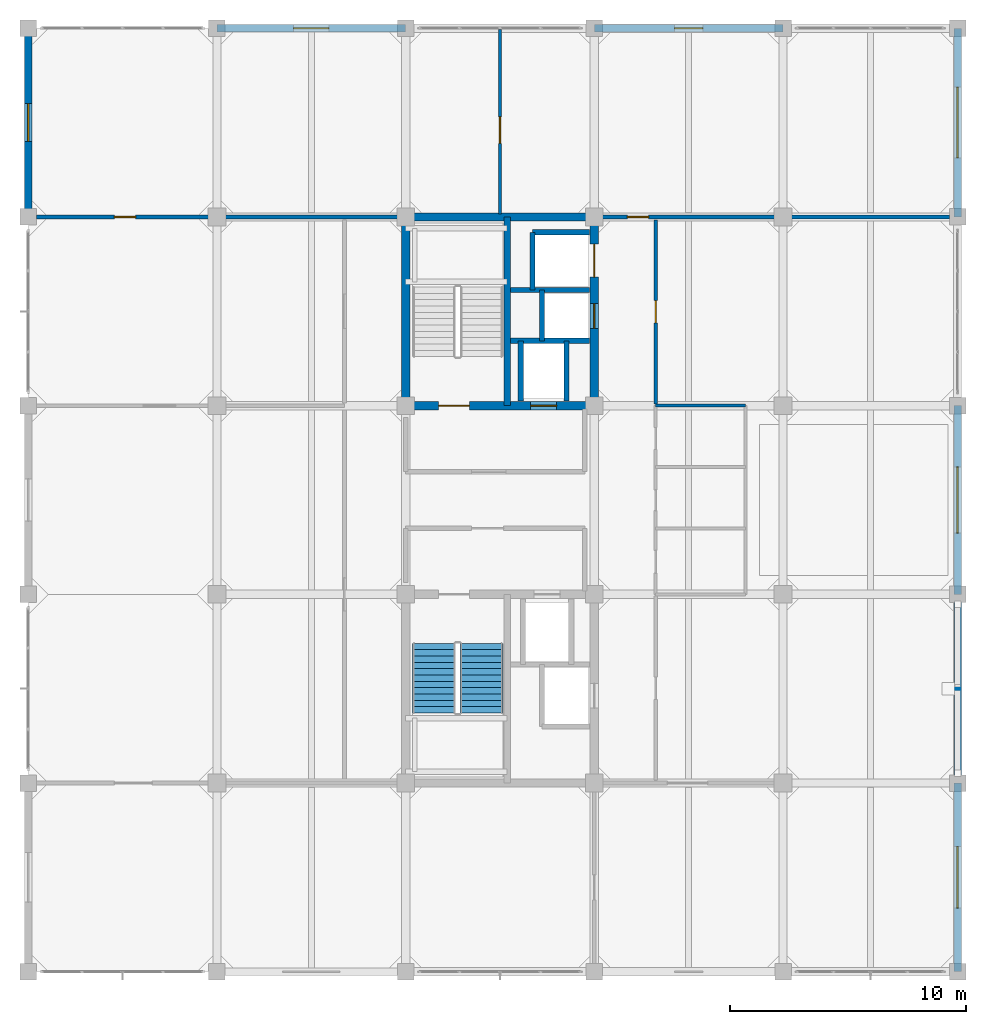
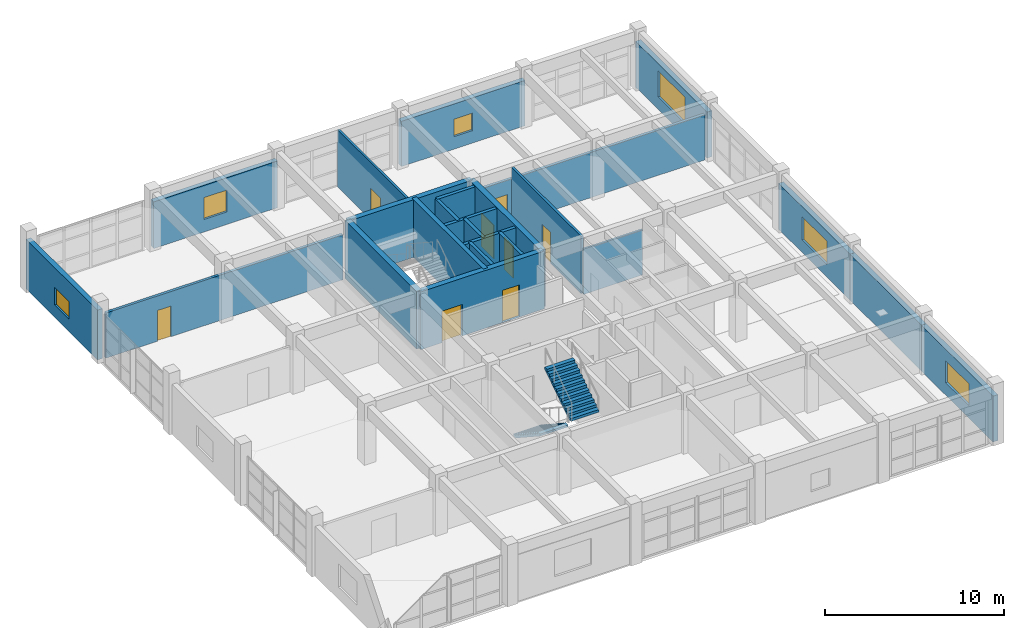
# One storey, part 22 of 27: 24 walls, 8 doors, 6 windows, 2 stair flights, 14 openings, 1 element without a shape of its own.
"""IFC4 building model written with IfcOpenShell, lengths in metres."""

from ifc_helpers import new_model, si_unit, direction, frame, frame_2d, origin, place, context, subcontext, project, spatial, polyline, rectangle, outline, extrude, material, layer, layer_set, type_object, element, fill, aggregate, save


model = new_model("IFC4")

# Units and contexts
model_context = context("Model", 3, precision=1e-05, world=origin(), true_north=direction((0.0, 1.0)))
body_context = subcontext(model_context, "Body", "Model", "MODEL_VIEW")
ifc_project = project(units=[si_unit("LENGTHUNIT", "METRE"), si_unit("AREAUNIT", "SQUARE_METRE"), si_unit("VOLUMEUNIT", "CUBIC_METRE"), si_unit("PLANEANGLEUNIT", "RADIAN"), si_unit("MASSUNIT", "GRAM", prefix="KILO")], contexts=[model_context])

# Site, building, storey
site_placement = place(None, origin())
site = spatial("IfcSite", under=ifc_project, at=site_placement, CompositionType="ELEMENT")
building_placement = place(site_placement, origin())
building = spatial("IfcBuilding", under=site, at=building_placement, Name="Canggui Botanical Conservatory", CompositionType="ELEMENT")
storey_placement = place(building_placement, frame((0.0, 0.0, 36.0)))
storey = spatial("IfcBuildingStorey", under=building, at=storey_placement, Name="L09", CompositionType="ELEMENT", Elevation=36.0)

# Wall, opening, window
ifc_material_1 = material(Name="Precast Concrete C40", Category="concrete")
ifc_layer_1 = layer(ifc_material_1, 0.320068359375, Name="Precast Concrete C40", Category="concrete")
ifc_layer_set_1 = layer_set([ifc_layer_1], Name="Precast Concrete C40")
wall_type_1 = type_object("IfcWallType", Name="EW-320", PredefinedType="STANDARD", material=ifc_layer_set_1)
wall_1_placement = place(storey_placement, frame((138.0, 66.0, 0.0), z_axis=(0.0, 0.0, 1.0), x_axis=(0.0, 1.0, 0.0)))
wall_1 = element("IfcWall", 1, at=wall_1_placement, inside=storey, type_object=wall_type_1, Name="Tower Insulated Exterior Wall L09-W10", PredefinedType="STANDARD", context=body_context, shape_type="SweptSolid", body=[
    extrude(rectangle(XDim=8.0, YDim=0.320068359375, at=frame_2d((4.0, 0.0))), origin(), (0.0, 0.0, 1.0), 3.39990234375),
])
opening_1_placement = place(wall_1_placement, frame((3.199951171875, 0.0, 0.85009765625)))
opening_1 = element("IfcOpeningElement", 2, at=opening_1_placement, cuts=wall_1, Name="Opening W-04", PredefinedType="OPENING", context=body_context, shape_type="SweptSolid", body=[
    extrude(rectangle(XDim=1.60009765625, YDim=1.199951171875, at=frame_2d((0.800048828125, 0.60009765625))), frame((0.0, 0.169921875, 0.0), z_axis=(0.0, -1.0, 0.0), x_axis=(1.0, 0.0, 0.0)), (0.0, 0.0, 1.0), 0.340087890625),
])
ifc_material_2 = material(Name="Low-E Insulated Glass", Category="glass")
window_type_1 = type_object("IfcWindowType", Name="WIN-04", PartitioningType="SINGLE_PANEL", PredefinedType="WINDOW", material=ifc_material_2)
window_1_placement = place(opening_1_placement, origin())
window_1 = element("IfcWindow", 3, at=window_1_placement, inside=storey, type_object=window_type_1, Name="Tower Window L09-10", OverallHeight=1.199951171875, OverallWidth=1.60009765625, PartitioningType="SINGLE_PANEL", PredefinedType="WINDOW", context=body_context, shape_type="SweptSolid", body=[
    extrude(rectangle(XDim=1.60009765625, YDim=1.199951171875, at=frame_2d((0.800048828125, 0.60009765625))), frame((0.0, 0.030029296875, 0.0), z_axis=(0.0, -1.0, 0.0), x_axis=(1.0, 0.0, 0.0)), (0.0, 0.0, 1.0), 0.06005859375),
])
fill(opening_1, window_1)

wall_2_placement = place(storey_placement, frame((146.0, 74.0, 0.0), z_axis=(0.0, 0.0, 1.0), x_axis=(1.0, 0.0, 0.0)))
wall_2 = element("IfcWall", 4, at=wall_2_placement, inside=storey, type_object=wall_type_1, Name="Tower Insulated Exterior Wall L09-N12", PredefinedType="STANDARD", context=body_context, shape_type="SweptSolid", body=[
    extrude(rectangle(XDim=8.0, YDim=0.320068359375, at=frame_2d((4.0, 0.0))), origin(), (0.0, 0.0, 1.0), 3.18994140625),
])
opening_2_placement = place(wall_2_placement, frame((3.25, 0.0, 0.85009765625)))
opening_2 = element("IfcOpeningElement", 5, at=opening_2_placement, cuts=wall_2, Name="Opening W-05", PredefinedType="OPENING", context=body_context, shape_type="SweptSolid", body=[
    extrude(rectangle(XDim=1.5, YDim=1.5, at=frame_2d((0.75, 0.75))), frame((0.0, 0.169921875, 0.0), z_axis=(0.0, -1.0, 0.0), x_axis=(1.0, 0.0, 0.0)), (0.0, 0.0, 1.0), 0.340087890625),
])
window_type_2 = type_object("IfcWindowType", Name="WIN-05", PartitioningType="SINGLE_PANEL", PredefinedType="WINDOW", material=ifc_material_2)
window_2_placement = place(opening_2_placement, origin())
window_2 = element("IfcWindow", 6, at=window_2_placement, inside=storey, type_object=window_type_2, Name="Tower Window L09-12", OverallHeight=1.5, OverallWidth=1.5, PartitioningType="SINGLE_PANEL", PredefinedType="WINDOW", context=body_context, shape_type="SweptSolid", body=[
    extrude(rectangle(XDim=1.5, YDim=1.5, at=frame_2d((0.75, 0.75))), frame((0.0, 0.030029296875, 0.0), z_axis=(0.0, -1.0, 0.0), x_axis=(1.0, 0.0, 0.0)), (0.0, 0.0, 1.0), 0.06005859375),
])
fill(opening_2, window_2)

wall_3_placement = place(storey_placement, frame((162.0, 74.0, 0.0), z_axis=(0.0, 0.0, 1.0), x_axis=(1.0, 0.0, 0.0)))
wall_3 = element("IfcWall", 7, at=wall_3_placement, inside=storey, type_object=wall_type_1, Name="Tower Insulated Exterior Wall L09-N14", PredefinedType="STANDARD", context=body_context, shape_type="SweptSolid", body=[
    extrude(rectangle(XDim=8.0, YDim=0.320068359375, at=frame_2d((4.0, 0.0))), origin(), (0.0, 0.0, 1.0), 3.090087890625),
])
opening_3_placement = place(wall_3_placement, frame((3.39990234375, 0.0, 0.85009765625)))
opening_3 = element("IfcOpeningElement", 8, at=opening_3_placement, cuts=wall_3, Name="Opening W-06", PredefinedType="OPENING", context=body_context, shape_type="SweptSolid", body=[
    extrude(rectangle(XDim=1.199951171875, YDim=1.199951171875, at=frame_2d((0.60009765625, 0.60009765625))), frame((0.0, 0.169921875, 0.0), z_axis=(0.0, -1.0, 0.0), x_axis=(1.0, 0.0, 0.0)), (0.0, 0.0, 1.0), 0.340087890625),
])
window_type_3 = type_object("IfcWindowType", Name="WIN-06", PartitioningType="SINGLE_PANEL", PredefinedType="WINDOW", material=ifc_material_2)
window_3_placement = place(opening_3_placement, origin())
window_3 = element("IfcWindow", 9, at=window_3_placement, inside=storey, type_object=window_type_3, Name="Tower Firefighter Rescue Window L09-14", OverallHeight=1.199951171875, OverallWidth=1.199951171875, PartitioningType="SINGLE_PANEL", PredefinedType="WINDOW", context=body_context, shape_type="SweptSolid", body=[
    extrude(rectangle(XDim=1.199951171875, YDim=1.199951171875, at=frame_2d((0.60009765625, 0.60009765625))), frame((0.0, 0.030029296875, 0.0), z_axis=(0.0, -1.0, 0.0), x_axis=(1.0, 0.0, 0.0)), (0.0, 0.0, 1.0), 0.06005859375),
])
fill(opening_3, window_3)

wall_4_placement = place(storey_placement, frame((177.39990234375, 74.0, 0.0), z_axis=(0.0, 0.0, 1.0), x_axis=(0.0, -1.0, 0.0)))
wall_4 = element("IfcWall", 10, at=wall_4_placement, inside=storey, type_object=wall_type_1, Name="Tower Insulated Exterior Wall L09-E16", PredefinedType="STANDARD", context=body_context, shape_type="SweptSolid", body=[
    extrude(rectangle(XDim=8.0, YDim=0.320068359375, at=frame_2d((4.0, 0.0))), origin(), (0.0, 0.0, 1.0), 3.139892578125),
])
opening_4_placement = place(wall_4_placement, frame((2.5, 0.0, 0.85009765625)))
opening_4 = element("IfcOpeningElement", 11, at=opening_4_placement, cuts=wall_4, Name="Opening W-07", PredefinedType="OPENING", context=body_context, shape_type="SweptSolid", body=[
    extrude(rectangle(XDim=3.0, YDim=1.800048828125, at=frame_2d((1.5, 0.89990234375))), frame((0.0, 0.169921875, 0.0), z_axis=(0.0, -1.0, 0.0), x_axis=(1.0, 0.0, 0.0)), (0.0, 0.0, 1.0), 0.340087890625),
])
window_type_4 = type_object("IfcWindowType", Name="WIN-07", PartitioningType="TRIPLE_PANEL_VERTICAL", PredefinedType="WINDOW", material=ifc_material_2)
window_4_placement = place(opening_4_placement, origin())
window_4 = element("IfcWindow", 12, at=window_4_placement, inside=storey, type_object=window_type_4, Name="Tower Window L09-16", OverallHeight=1.800048828125, OverallWidth=3.0, PartitioningType="SINGLE_PANEL", PredefinedType="WINDOW", context=body_context, shape_type="SweptSolid", body=[
    extrude(rectangle(XDim=3.0, YDim=1.800048828125, at=frame_2d((1.5, 0.89990234375))), frame((0.0, 0.030029296875, 0.0), z_axis=(0.0, -1.0, 0.0), x_axis=(1.0, 0.0, 0.0)), (0.0, 0.0, 1.0), 0.06005859375),
])
fill(opening_4, window_4)

wall_5_placement = place(storey_placement, frame((177.39990234375, 58.0, 0.0), z_axis=(0.0, 0.0, 1.0), x_axis=(0.0, -1.0, 0.0)))
wall_5 = element("IfcWall", 13, at=wall_5_placement, inside=storey, type_object=wall_type_1, Name="Tower Insulated Exterior Wall L09-E18", PredefinedType="STANDARD", context=body_context, shape_type="SweptSolid", body=[
    extrude(rectangle(XDim=8.0, YDim=0.320068359375, at=frame_2d((4.0, 0.0))), origin(), (0.0, 0.0, 1.0), 3.139892578125),
])
opening_5_placement = place(wall_5_placement, frame((2.60009765625, 0.0, 0.85009765625)))
opening_5 = element("IfcOpeningElement", 14, at=opening_5_placement, cuts=wall_5, Name="Opening W-08", PredefinedType="OPENING", context=body_context, shape_type="SweptSolid", body=[
    extrude(rectangle(XDim=2.800048828125, YDim=1.60009765625, at=frame_2d((1.39990234375, 0.800048828125))), frame((0.0, 0.169921875, 0.0), z_axis=(0.0, -1.0, 0.0), x_axis=(1.0, 0.0, 0.0)), (0.0, 0.0, 1.0), 0.340087890625),
])
window_type_5 = type_object("IfcWindowType", Name="WIN-08", PartitioningType="TRIPLE_PANEL_VERTICAL", PredefinedType="WINDOW", material=ifc_material_2)
window_5_placement = place(opening_5_placement, origin())
window_5 = element("IfcWindow", 15, at=window_5_placement, inside=storey, type_object=window_type_5, Name="Tower Window L09-18", OverallHeight=1.60009765625, OverallWidth=2.800048828125, PartitioningType="SINGLE_PANEL", PredefinedType="WINDOW", context=body_context, shape_type="SweptSolid", body=[
    extrude(rectangle(XDim=2.800048828125, YDim=1.60009765625, at=frame_2d((1.39990234375, 0.800048828125))), frame((0.0, 0.030029296875, 0.0), z_axis=(0.0, -1.0, 0.0), x_axis=(1.0, 0.0, 0.0)), (0.0, 0.0, 1.0), 0.06005859375),
])
fill(opening_5, window_5)

# Wall
wall_6_placement = place(storey_placement, frame((177.39990234375, 50.0, 0.0), z_axis=(0.0, 0.0, 1.0), x_axis=(0.0, -1.0, 0.0)))
element("IfcWall", 16, at=wall_6_placement, inside=storey, type_object=wall_type_1, Name="Tower Insulated Exterior Wall L09-E19", PredefinedType="STANDARD", context=body_context, shape_type="SweptSolid", body=[
    extrude(rectangle(XDim=8.0, YDim=0.320068359375, at=frame_2d((4.0, 0.0))), origin(), (0.0, 0.0, 1.0), 3.139892578125),
])

# Wall, opening, window
wall_7_placement = place(storey_placement, frame((177.39990234375, 42.0, 0.0), z_axis=(0.0, 0.0, 1.0), x_axis=(0.0, -1.0, 0.0)))
wall_7 = element("IfcWall", 17, at=wall_7_placement, inside=storey, type_object=wall_type_1, Name="Tower Insulated Exterior Wall L09-E20", PredefinedType="STANDARD", context=body_context, shape_type="SweptSolid", body=[
    extrude(rectangle(XDim=8.0, YDim=0.320068359375, at=frame_2d((4.0, 0.0))), origin(), (0.0, 0.0, 1.0), 3.139892578125),
])
opening_6_placement = place(wall_7_placement, frame((2.699951171875, 0.0, 0.85009765625)))
opening_6 = element("IfcOpeningElement", 18, at=opening_6_placement, cuts=wall_7, Name="Opening W-09", PredefinedType="OPENING", context=body_context, shape_type="SweptSolid", body=[
    extrude(rectangle(XDim=2.60009765625, YDim=1.5, at=frame_2d((1.300048828125, 0.75))), frame((0.0, 0.169921875, 0.0), z_axis=(0.0, -1.0, 0.0), x_axis=(1.0, 0.0, 0.0)), (0.0, 0.0, 1.0), 0.340087890625),
])
window_type_6 = type_object("IfcWindowType", Name="WIN-09", PartitioningType="DOUBLE_PANEL_VERTICAL", PredefinedType="WINDOW", material=ifc_material_2)
window_6_placement = place(opening_6_placement, origin())
window_6 = element("IfcWindow", 19, at=window_6_placement, inside=storey, type_object=window_type_6, Name="Tower Window L09-20", OverallHeight=1.5, OverallWidth=2.60009765625, PartitioningType="SINGLE_PANEL", PredefinedType="WINDOW", context=body_context, shape_type="SweptSolid", body=[
    extrude(rectangle(XDim=2.60009765625, YDim=1.5, at=frame_2d((1.300048828125, 0.75))), frame((0.0, 0.030029296875, 0.0), z_axis=(0.0, -1.0, 0.0), x_axis=(1.0, 0.0, 0.0)), (0.0, 0.0, 1.0), 0.06005859375),
])
fill(opening_6, window_6)

# Wall, opening, door
ifc_material_3 = material(Name="Gypsum Plasterboard Partition")
ifc_layer_2 = layer(ifc_material_3, 0.175048828125, Name="Gypsum Plasterboard Partition")
ifc_layer_set_2 = layer_set([ifc_layer_2], Name="Gypsum Plasterboard Partition")
wall_type_2 = type_object("IfcWallType", Name="IW-CORR-175", PredefinedType="STANDARD", material=ifc_layer_set_2)
wall_8_placement = place(storey_placement, frame((138.35009765625, 66.0, 0.0), z_axis=(0.0, 0.0, 1.0), x_axis=(1.0, 0.0, 0.0)))
wall_8 = element("IfcWall", 20, at=wall_8_placement, inside=storey, type_object=wall_type_2, Name="L09 Cold Reagent Storage Room North Suite Wall", PredefinedType="STANDARD", context=body_context, shape_type="SweptSolid", body=[
    extrude(rectangle(XDim=15.2998046875, YDim=0.175048828125, at=frame_2d((7.64990234375, 0.0))), origin(), (0.0, 0.0, 1.0), 3.090087890625),
])
opening_7_placement = place(wall_8_placement, frame((3.300048828125, 0.0, 0.0)))
opening_7 = element("IfcOpeningElement", 21, at=opening_7_placement, cuts=wall_8, Name="Opening FD-01", PredefinedType="OPENING", context=body_context, shape_type="SweptSolid", body=[
    extrude(rectangle(XDim=0.89990234375, YDim=2.10009765625, at=frame_2d((0.449951171875, 1.050048828125))), frame((0.0, 0.09765625, 0.0), z_axis=(0.0, -1.0, 0.0), x_axis=(1.0, 0.0, 0.0)), (0.0, 0.0, 1.0), 0.195068359375),
])
ifc_material_4 = material(Name="Powder-Coated Steel", Category="steel")
door_type_1 = type_object("IfcDoorType", Name="FD-01", OperationType="NOTDEFINED", PredefinedType="DOOR", material=ifc_material_4)
door_1_placement = place(opening_7_placement, origin())
door_1 = element("IfcDoor", 22, at=door_1_placement, inside=storey, type_object=door_type_1, Name="Interior Door IW-L09-NCOR-1", OperationType="SINGLE_SWING_LEFT", OverallHeight=2.10009765625, OverallWidth=0.89990234375, PredefinedType="DOOR", context=body_context, shape_type="SweptSolid", body=[
    extrude(rectangle(XDim=0.89990234375, YDim=2.10009765625, at=frame_2d((0.449951171875, 1.050048828125))), frame((0.0, 0.02490234375, 0.0), z_axis=(0.0, -1.0, 0.0), x_axis=(1.0, 0.0, 0.0)), (0.0, 0.0, 1.0), 0.050048828125),
])
fill(opening_7, door_1)

wall_9_placement = place(storey_placement, frame((162.35009765625, 66.0, 0.0), z_axis=(0.0, 0.0, 1.0), x_axis=(1.0, 0.0, 0.0)))
wall_9 = element("IfcWall", 23, at=wall_9_placement, inside=storey, type_object=wall_type_2, Name="L09 Genomics Bioinformatics Studio North Suite Wall", PredefinedType="STANDARD", context=body_context, shape_type="SweptSolid", body=[
    extrude(rectangle(XDim=14.699951171875, YDim=0.175048828125, at=frame_2d((7.35009765625, 0.0))), origin(), (0.0, 0.0, 1.0), 3.090087890625),
])
opening_8_placement = place(wall_9_placement, frame((1.050048828125, 0.0, 0.0)))
opening_8 = element("IfcOpeningElement", 24, at=opening_8_placement, cuts=wall_9, Name="Opening FD-01", PredefinedType="OPENING", context=body_context, shape_type="SweptSolid", body=[
    extrude(rectangle(XDim=0.89990234375, YDim=2.10009765625, at=frame_2d((0.449951171875, 1.050048828125))), frame((0.0, 0.09765625, 0.0), z_axis=(0.0, -1.0, 0.0), x_axis=(1.0, 0.0, 0.0)), (0.0, 0.0, 1.0), 0.195068359375),
])
door_2_placement = place(opening_8_placement, origin())
door_2 = element("IfcDoor", 25, at=door_2_placement, inside=storey, type_object=door_type_1, Name="Interior Door IW-L09-NCOR-2", OperationType="SINGLE_SWING_LEFT", OverallHeight=2.10009765625, OverallWidth=0.89990234375, PredefinedType="DOOR", context=body_context, shape_type="SweptSolid", body=[
    extrude(rectangle(XDim=0.89990234375, YDim=2.10009765625, at=frame_2d((0.449951171875, 1.050048828125))), frame((0.0, 0.02490234375, 0.0), z_axis=(0.0, -1.0, 0.0), x_axis=(1.0, 0.0, 0.0)), (0.0, 0.0, 1.0), 0.050048828125),
])
fill(opening_8, door_2)

ifc_layer_3 = layer(ifc_material_3, 0.155029296875, Name="Gypsum Plasterboard Partition")
ifc_layer_set_3 = layer_set([ifc_layer_3], Name="Gypsum Plasterboard Partition")
wall_type_3 = type_object("IfcWallType", Name="IW-LAB-155", PredefinedType="STANDARD", material=ifc_layer_set_3)
wall_10_placement = place(storey_placement, frame((164.60009765625, 58.080078125, 0.0), z_axis=(0.0, 0.0, 1.0), x_axis=(0.0, 1.0, 0.0)))
wall_10 = element("IfcWall", 26, at=wall_10_placement, inside=storey, type_object=wall_type_3, Name="L09 Proteomics and Sequencing Research Laboratory Lab Wall", PredefinedType="STANDARD", context=body_context, shape_type="SweptSolid", body=[
    extrude(rectangle(XDim=7.7998046875, YDim=0.155029296875, at=frame_2d((3.89990234375, 0.0))), origin(), (0.0, 0.0, 1.0), 3.89990234375),
])
opening_9_placement = place(wall_10_placement, frame((3.425048828125, 0.0, 0.0)))
opening_9 = element("IfcOpeningElement", 27, at=opening_9_placement, cuts=wall_10, Name="Opening FD-02", PredefinedType="OPENING", context=body_context, shape_type="SweptSolid", body=[
    extrude(rectangle(XDim=0.949951171875, YDim=2.10009765625, at=frame_2d((0.47509765625, 1.050048828125))), frame((0.0, 0.08740234375, 0.0), z_axis=(0.0, -1.0, 0.0), x_axis=(1.0, 0.0, 0.0)), (0.0, 0.0, 1.0), 0.175048828125),
])
door_type_2 = type_object("IfcDoorType", Name="FD-02", OperationType="NOTDEFINED", PredefinedType="DOOR", material=ifc_material_4)
door_3_placement = place(opening_9_placement, origin())
door_3 = element("IfcDoor", 28, at=door_3_placement, inside=storey, type_object=door_type_2, Name="Interior Door IW-L09-ECOR-1-2", OperationType="SINGLE_SWING_LEFT", OverallHeight=2.10009765625, OverallWidth=0.949951171875, PredefinedType="DOOR", context=body_context, shape_type="SweptSolid", body=[
    extrude(rectangle(XDim=0.949951171875, YDim=2.10009765625, at=frame_2d((0.47509765625, 1.050048828125))), frame((0.0, 0.02490234375, 0.0), z_axis=(0.0, -1.0, 0.0), x_axis=(1.0, 0.0, 0.0)), (0.0, 0.0, 1.0), 0.050048828125),
])
fill(opening_9, door_3)

ifc_layer_4 = layer(ifc_material_3, 0.139892578125, Name="Gypsum Plasterboard Partition")
ifc_layer_set_4 = layer_set([ifc_layer_4], Name="Gypsum Plasterboard Partition")
wall_type_4 = type_object("IfcWallType", Name="IW-PART-140", PredefinedType="STANDARD", material=ifc_layer_set_4)
wall_11_placement = place(storey_placement, frame((158.0, 66.1201171875, 0.0), z_axis=(0.0, 0.0, 1.0), x_axis=(0.0, 1.0, 0.0)))
wall_11 = element("IfcWall", 29, at=wall_11_placement, inside=storey, type_object=wall_type_4, Name="L09 Cold Reagent Storage Room North Cross Wall", PredefinedType="STANDARD", context=body_context, shape_type="SweptSolid", body=[
    extrude(rectangle(XDim=7.829833984375, YDim=0.139892578125, at=frame_2d((3.9150390625, 0.0))), origin(), (0.0, 0.0, 1.0), 3.89990234375),
])
opening_10_placement = place(wall_11_placement, frame((3.0, 0.0, 0.0)))
opening_10 = element("IfcOpeningElement", 30, at=opening_10_placement, cuts=wall_11, Name="Opening ID-06", PredefinedType="OPENING", context=body_context, shape_type="SweptSolid", body=[
    extrude(rectangle(XDim=1.1201171875, YDim=2.1201171875, at=frame_2d((0.56005859375, 1.06005859375))), frame((0.0, 0.080078125, 0.0), z_axis=(0.0, -1.0, 0.0), x_axis=(1.0, 0.0, 0.0)), (0.0, 0.0, 1.0), 0.159912109375),
])
ifc_material_5 = material(Name="Engineered Timber Veneer", Category="wood")
door_type_3 = type_object("IfcDoorType", Name="ID-06", OperationType="NOTDEFINED", PredefinedType="DOOR", material=ifc_material_5)
door_4_placement = place(opening_10_placement, origin())
door_4 = element("IfcDoor", 31, at=door_4_placement, inside=storey, type_object=door_type_3, Name="Interior Door IW-L09-NDIV-1", OperationType="SINGLE_SWING_RIGHT", OverallHeight=2.1201171875, OverallWidth=1.1201171875, PredefinedType="DOOR", context=body_context, shape_type="SweptSolid", body=[
    extrude(rectangle(XDim=1.1201171875, YDim=2.1201171875, at=frame_2d((0.56005859375, 1.06005859375))), frame((0.0, 0.02490234375, 0.0), z_axis=(0.0, -1.0, 0.0), x_axis=(1.0, 0.0, 0.0)), (0.0, 0.0, 1.0), 0.050048828125),
])
fill(opening_10, door_4)

# Walls
ifc_material_6 = material(Name="Concrete C35", Category="concrete")
ifc_layer_5 = layer(ifc_material_6, 0.215087890625, Name="Concrete C35", Category="concrete")
ifc_layer_set_5 = layer_set([ifc_layer_5], Name="Concrete C35")
wall_type_5 = type_object("IfcWallType", Name="IW-SHAFT-215", PredefinedType="STANDARD", material=ifc_layer_set_5)
wall_12_placement = place(storey_placement, frame((158.449951171875, 62.89990234375, 0.0), z_axis=(0.0, 0.0, 1.0), x_axis=(1.0, 0.0, 0.0)))
element("IfcWall", 32, at=wall_12_placement, inside=storey, type_object=wall_type_5, Name="Core T2 Goods Lift Shaft Divider L09", PredefinedType="STANDARD", context=body_context, shape_type="SweptSolid", body=[
    extrude(rectangle(XDim=3.35009765625, YDim=0.215087890625, at=frame_2d((1.675048828125, 0.0))), origin(), (0.0, 0.0, 1.0), 3.89990234375),
])
wall_13_placement = place(storey_placement, frame((160.820068359375, 58.199951171875, 0.0), z_axis=(0.0, 0.0, 1.0), x_axis=(0.0, 1.0, 0.0)))
element("IfcWall", 33, at=wall_13_placement, inside=storey, type_object=wall_type_5, Name="Core T2 Lift Bank Web L09", PredefinedType="STANDARD", context=body_context, shape_type="SweptSolid", body=[
    extrude(rectangle(XDim=2.550048828125, YDim=0.215087890625, at=frame_2d((1.27490234375, 0.0))), origin(), (0.0, 0.0, 1.0), 3.89990234375),
])
wall_14_placement = place(storey_placement, frame((159.3798828125, 62.89990234375, 0.0), z_axis=(0.0, 0.0, 1.0), x_axis=(0.0, 1.0, 0.0)))
element("IfcWall", 34, at=wall_14_placement, inside=storey, type_object=wall_type_5, Name="Core T2 GL-01 West Shaft Wall L09", PredefinedType="STANDARD", context=body_context, shape_type="SweptSolid", body=[
    extrude(rectangle(XDim=2.4501953125, YDim=0.215087890625, at=frame_2d((1.22509765625, 0.0))), origin(), (0.0, 0.0, 1.0), 3.89990234375),
])
wall_15_placement = place(storey_placement, frame((159.3798828125, 65.35009765625, 0.0), z_axis=(0.0, 0.0, 1.0), x_axis=(1.0, 0.0, 0.0)))
element("IfcWall", 35, at=wall_15_placement, inside=storey, type_object=wall_type_5, Name="Core T2 GL-01 North Shaft Wall L09", PredefinedType="STANDARD", context=body_context, shape_type="SweptSolid", body=[
    extrude(rectangle(XDim=2.420166015625, YDim=0.215087890625, at=frame_2d((1.2099609375, 0.0))), origin(), (0.0, 0.0, 1.0), 3.89990234375),
])
wall_16_placement = place(storey_placement, frame((158.449951171875, 60.75, 0.0), z_axis=(0.0, 0.0, 1.0), x_axis=(1.0, 0.0, 0.0)))
element("IfcWall", 36, at=wall_16_placement, inside=storey, type_object=wall_type_5, Name="Core T2 PL-02 South Shaft Wall L09", PredefinedType="STANDARD", context=body_context, shape_type="SweptSolid", body=[
    extrude(rectangle(XDim=3.35009765625, YDim=0.215087890625, at=frame_2d((1.675048828125, 0.0))), origin(), (0.0, 0.0, 1.0), 3.89990234375),
])
wall_17_placement = place(storey_placement, frame((159.780029296875, 60.75, 0.0), z_axis=(0.0, 0.0, 1.0), x_axis=(0.0, 1.0, 0.0)))
element("IfcWall", 37, at=wall_17_placement, inside=storey, type_object=wall_type_5, Name="Core T2 PL-02 West Shaft Wall L09", PredefinedType="STANDARD", context=body_context, shape_type="SweptSolid", body=[
    extrude(rectangle(XDim=2.14990234375, YDim=0.215087890625, at=frame_2d((1.074951171875, 0.0))), origin(), (0.0, 0.0, 1.0), 3.89990234375),
])
wall_18_placement = place(storey_placement, frame((158.8798828125, 58.199951171875, 0.0), z_axis=(0.0, 0.0, 1.0), x_axis=(0.0, 1.0, 0.0)))
element("IfcWall", 38, at=wall_18_placement, inside=storey, type_object=wall_type_5, Name="Core T2 FL-02 West Shaft Wall L09", PredefinedType="STANDARD", context=body_context, shape_type="SweptSolid", body=[
    extrude(rectangle(XDim=2.550048828125, YDim=0.215087890625, at=frame_2d((1.27490234375, 0.0))), origin(), (0.0, 0.0, 1.0), 3.89990234375),
])
ifc_layer_6 = layer(ifc_material_3, 0.125, Name="Gypsum Plasterboard Partition")
ifc_layer_set_6 = layer_set([ifc_layer_6], Name="Gypsum Plasterboard Partition")
wall_type_6 = type_object("IfcWallType", Name="IW-WC-125", PredefinedType="STANDARD", material=ifc_layer_set_6)
wall_19_placement = place(storey_placement, frame((164.60009765625, 58.0, 0.0), z_axis=(0.0, 0.0, 1.0), x_axis=(1.0, 0.0, 0.0)))
element("IfcWall", 39, at=wall_19_placement, inside=storey, type_object=wall_type_6, Name="L09 Restroom Divider Y58.0", PredefinedType="STANDARD", context=body_context, shape_type="SweptSolid", body=[
    extrude(rectangle(XDim=3.7998046875, YDim=0.125, at=frame_2d((1.89990234375, 0.0))), origin(), (0.0, 0.0, 1.0), 3.090087890625),
])
ifc_layer_7 = layer(ifc_material_6, 0.280029296875, Name="Concrete C35", Category="concrete")
ifc_layer_set_7 = layer_set([ifc_layer_7], Name="Concrete C35")
wall_type_7 = type_object("IfcWallType", Name="WALL-SH-280-C35", PredefinedType="SHEAR", material=ifc_layer_set_7)
wall_20_placement = place(storey_placement, frame((158.300048828125, 58.0, 0.0), z_axis=(0.0, 0.0, 1.0), x_axis=(0.0, 1.0, 0.0)))
element("IfcWall", 40, at=wall_20_placement, inside=storey, type_object=wall_type_7, Name="Core T2 Internal Shear Web L09", PredefinedType="SHEAR", context=body_context, shape_type="SweptSolid", body=[
    extrude(rectangle(XDim=8.0, YDim=0.280029296875, at=frame_2d((4.0, 0.0))), origin(), (0.0, 0.0, 1.0), 3.949951171875),
])

# Wall, openings, doors
ifc_material_7 = material(Name="Concrete C40", Category="concrete")
ifc_layer_8 = layer(ifc_material_7, 0.35009765625, Name="Concrete C40", Category="concrete")
ifc_layer_set_8 = layer_set([ifc_layer_8], Name="Concrete C40")
wall_type_8 = type_object("IfcWallType", Name="WALL-SH-350-C40", PredefinedType="SHEAR", material=ifc_layer_set_8)
wall_21_placement = place(storey_placement, frame((154.0, 58.0, 0.0), z_axis=(0.0, 0.0, 1.0), x_axis=(1.0, 0.0, 0.0)))
wall_21 = element("IfcWall", 41, at=wall_21_placement, inside=storey, type_object=wall_type_8, Name="Core T2 Shear Wall L09-S", PredefinedType="SHEAR", context=body_context, shape_type="SweptSolid", body=[
    extrude(rectangle(XDim=8.0, YDim=0.35009765625, at=frame_2d((4.0, 0.0))), origin(), (0.0, 0.0, 1.0), 3.949951171875),
])
opening_11_placement = place(wall_21_placement, frame((1.39990234375, 0.0, 0.0)))
opening_11 = element("IfcOpeningElement", 42, at=opening_11_placement, cuts=wall_21, Name="Opening FD-09", PredefinedType="OPENING", context=body_context, shape_type="SweptSolid", body=[
    extrude(rectangle(XDim=1.300048828125, YDim=2.14990234375, at=frame_2d((0.64990234375, 1.074951171875))), frame((0.0, 0.18505859375, 0.0), z_axis=(0.0, -1.0, 0.0), x_axis=(1.0, 0.0, 0.0)), (0.0, 0.0, 1.0), 0.3701171875),
])
opening_12_placement = place(wall_21_placement, frame((5.300048828125, 0.0, 0.0)))
opening_12 = element("IfcOpeningElement", 43, at=opening_12_placement, cuts=wall_21, Name="Opening LD-01", PredefinedType="OPENING", context=body_context, shape_type="SweptSolid", body=[
    extrude(rectangle(XDim=1.10009765625, YDim=2.199951171875, at=frame_2d((0.550048828125, 1.10009765625))), frame((0.0, 0.18505859375, 0.0), z_axis=(0.0, -1.0, 0.0), x_axis=(1.0, 0.0, 0.0)), (0.0, 0.0, 1.0), 0.3701171875),
])
door_type_4 = type_object("IfcDoorType", Name="FD-09", OperationType="NOTDEFINED", PredefinedType="DOOR", material=ifc_material_4)
door_5_placement = place(opening_11_placement, origin())
door_5 = element("IfcDoor", 44, at=door_5_placement, inside=storey, type_object=door_type_4, Name="Tower North Smoke-Proof Stair Door L09", OperationType="SINGLE_SWING_RIGHT", OverallHeight=2.14990234375, OverallWidth=1.300048828125, PredefinedType="DOOR", context=body_context, shape_type="SweptSolid", body=[
    extrude(rectangle(XDim=1.300048828125, YDim=2.14990234375, at=frame_2d((0.64990234375, 1.074951171875))), frame((0.0, 0.02490234375, 0.0), z_axis=(0.0, -1.0, 0.0), x_axis=(1.0, 0.0, 0.0)), (0.0, 0.0, 1.0), 0.050048828125),
])
fill(opening_11, door_5)
ifc_material_8 = material(Name="Stainless Steel 304", Category="steel")
door_type_5 = type_object("IfcDoorType", Name="LDR-01", OperationType="NOTDEFINED", PredefinedType="DOOR", material=ifc_material_8)
door_6_placement = place(opening_12_placement, origin())
door_6 = element("IfcDoor", 45, at=door_6_placement, inside=storey, type_object=door_type_5, Name="Firefighting Lift FL-02 Landing Door L09", OperationType="SLIDING_TO_RIGHT", OverallHeight=2.199951171875, OverallWidth=1.10009765625, PredefinedType="DOOR", context=body_context, shape_type="SweptSolid", body=[
    extrude(rectangle(XDim=1.10009765625, YDim=2.199951171875, at=frame_2d((0.550048828125, 1.10009765625))), frame((0.0, 0.02490234375, 0.0), z_axis=(0.0, -1.0, 0.0), x_axis=(1.0, 0.0, 0.0)), (0.0, 0.0, 1.0), 0.050048828125),
])
fill(opening_12, door_6)

wall_22_placement = place(storey_placement, frame((162.0, 58.0, 0.0), z_axis=(0.0, 0.0, 1.0), x_axis=(0.0, 1.0, 0.0)))
wall_22 = element("IfcWall", 46, at=wall_22_placement, inside=storey, type_object=wall_type_8, Name="Core T2 Shear Wall L09-E", PredefinedType="SHEAR", context=body_context, shape_type="SweptSolid", body=[
    extrude(rectangle(XDim=8.0, YDim=0.35009765625, at=frame_2d((4.0, 0.0))), origin(), (0.0, 0.0, 1.0), 3.949951171875),
])
opening_13_placement = place(wall_22_placement, frame((3.27490234375, 0.0, 0.0)))
opening_13 = element("IfcOpeningElement", 47, at=opening_13_placement, cuts=wall_22, Name="Opening LD-02", PredefinedType="OPENING", context=body_context, shape_type="SweptSolid", body=[
    extrude(rectangle(XDim=1.050048828125, YDim=2.199951171875, at=frame_2d((0.52490234375, 1.10009765625))), frame((0.0, 0.18505859375, 0.0), z_axis=(0.0, -1.0, 0.0), x_axis=(1.0, 0.0, 0.0)), (0.0, 0.0, 1.0), 0.3701171875),
])
opening_14_placement = place(wall_22_placement, frame((5.449951171875, 0.0, 0.0)))
opening_14 = element("IfcOpeningElement", 48, at=opening_14_placement, cuts=wall_22, Name="Opening LD-03", PredefinedType="OPENING", context=body_context, shape_type="SweptSolid", body=[
    extrude(rectangle(XDim=1.39990234375, YDim=2.300048828125, at=frame_2d((0.699951171875, 1.14990234375))), frame((0.0, 0.18505859375, 0.0), z_axis=(0.0, -1.0, 0.0), x_axis=(1.0, 0.0, 0.0)), (0.0, 0.0, 1.0), 0.3701171875),
])
door_type_6 = type_object("IfcDoorType", Name="LDR-02", OperationType="NOTDEFINED", PredefinedType="DOOR", material=ifc_material_8)
door_7_placement = place(opening_13_placement, origin())
door_7 = element("IfcDoor", 49, at=door_7_placement, inside=storey, type_object=door_type_6, Name="Passenger Lift PL-02 Landing Door L09", OperationType="SLIDING_TO_RIGHT", OverallHeight=2.199951171875, OverallWidth=1.050048828125, PredefinedType="DOOR", context=body_context, shape_type="SweptSolid", body=[
    extrude(rectangle(XDim=1.050048828125, YDim=2.199951171875, at=frame_2d((0.52490234375, 1.10009765625))), frame((0.0, 0.02490234375, 0.0), z_axis=(0.0, -1.0, 0.0), x_axis=(1.0, 0.0, 0.0)), (0.0, 0.0, 1.0), 0.050048828125),
])
fill(opening_13, door_7)
door_type_7 = type_object("IfcDoorType", Name="LDR-03", OperationType="NOTDEFINED", PredefinedType="DOOR", material=ifc_material_8)
door_8_placement = place(opening_14_placement, origin())
door_8 = element("IfcDoor", 50, at=door_8_placement, inside=storey, type_object=door_type_7, Name="Herbarium Goods Lift GL-01 Landing Door L09", OperationType="DOUBLE_DOOR_SLIDING", OverallHeight=2.300048828125, OverallWidth=1.39990234375, PredefinedType="DOOR", context=body_context, shape_type="SweptSolid", body=[
    extrude(rectangle(XDim=1.39990234375, YDim=2.300048828125, at=frame_2d((0.699951171875, 1.14990234375))), frame((0.0, 0.02490234375, 0.0), z_axis=(0.0, -1.0, 0.0), x_axis=(1.0, 0.0, 0.0)), (0.0, 0.0, 1.0), 0.050048828125),
])
fill(opening_14, door_8)

# Walls
for number, where, z_axis, x_axis, name in (
    (51, (162.0, 66.0, 0.0), (0.0, 0.0, 1.0), (-1.0, 0.0, 0.0), "Core T2 Shear Wall L09-N"),
    (52, (154.0, 66.0, 0.0), (0.0, 0.0, 1.0), (0.0, -1.0, 0.0), "Core T2 Shear Wall L09-W"),
):
    element("IfcWall", number, at=place(storey_placement, frame(where, z_axis=z_axis, x_axis=x_axis)), inside=storey, type_object=wall_type_8, Name=name, PredefinedType="SHEAR", context=body_context, shape_type="SweptSolid", body=[
        extrude(rectangle(XDim=8.0, YDim=0.35009765625, at=frame_2d((4.0, 0.0))), origin(), (0.0, 0.0, 1.0), 3.949951171875),
    ])

# Stair, stair flights
stair_type = type_object("IfcStairType", Name="STR-TYPE-6", PredefinedType="HALF_TURN_STAIR", material=ifc_material_6)
stair_placement = place(storey_placement, origin())
stair = element("IfcStair", 53, at=stair_placement, inside=storey, type_object=stair_type, Name="L09 Tower South Smoke-Proof Stair ST-T1", PredefinedType="HALF_TURN_STAIR")
stair_flight_type = type_object("IfcStairFlightType", Name="SFL-TYPE-6", PredefinedType="STRAIGHT", material=ifc_material_6)
stair_flight_1_placement = place(storey_placement, frame((155.2099609375, 47.919921875, 0.0), z_axis=(0.0, 0.0, 1.0), x_axis=(0.0, -1.0, 0.0)))
stair_flight_1 = element("IfcStairFlight", 54, at=stair_flight_1_placement, type_object=stair_flight_type, Name="ST-T1 flight 1", NumberOfRisers=12, NumberOfTreads=11, PredefinedType="STRAIGHT", RiserHeight=0.175, TreadLength=0.268, context=body_context, shape_type="SweptSolid", body=[
    extrude(outline(polyline([(0.0, 0.0), (0.0, 0.175048828125), (0.26806640625, 0.175048828125), (0.26806640625, 0.35009765625), (0.535888671875, 0.35009765625), (0.535888671875, 0.52490234375), (0.803955078125, 0.52490234375), (0.803955078125, 0.699951171875), (1.072021484375, 0.699951171875), (1.072021484375, 0.875), (1.340087890625, 0.875), (1.340087890625, 1.050048828125), (1.60791015625, 1.050048828125), (1.60791015625, 1.22509765625), (1.8759765625, 1.22509765625), (1.8759765625, 1.39990234375), (2.14404296875, 1.39990234375), (2.14404296875, 1.574951171875), (2.412109375, 1.574951171875), (2.412109375, 1.75), (2.679931640625, 1.75), (2.679931640625, 1.925048828125), (2.947998046875, 1.925048828125), (2.947998046875, 2.10009765625), (2.947998046875, 1.781494140625), (0.2197265625, 0.0), (0.0, 0.0)])), frame((0.0, 0.91015625, 0.0), z_axis=(0.0, -1.0, 0.0), x_axis=(1.0, 0.0, 0.0)), (0.0, 0.0, 1.0), 1.820068359375),
])
stair_flight_2_placement = place(storey_placement, frame((157.2099609375, 44.971923828125, 2.10009765625), z_axis=(0.0, 0.0, 1.0), x_axis=(0.0, 1.0, 0.0)))
stair_flight_2 = element("IfcStairFlight", 55, at=stair_flight_2_placement, type_object=stair_flight_type, Name="ST-T1 flight 2", NumberOfRisers=12, NumberOfTreads=11, PredefinedType="STRAIGHT", RiserHeight=0.175, TreadLength=0.268, context=body_context, shape_type="SweptSolid", body=[
    extrude(outline(polyline([(0.0, 0.0), (0.0, 0.175048828125), (0.26806640625, 0.175048828125), (0.26806640625, 0.35009765625), (0.535888671875, 0.35009765625), (0.535888671875, 0.52490234375), (0.803955078125, 0.52490234375), (0.803955078125, 0.699951171875), (1.072021484375, 0.699951171875), (1.072021484375, 0.875), (1.340087890625, 0.875), (1.340087890625, 1.050048828125), (1.60791015625, 1.050048828125), (1.60791015625, 1.22509765625), (1.8759765625, 1.22509765625), (1.8759765625, 1.39990234375), (2.14404296875, 1.39990234375), (2.14404296875, 1.574951171875), (2.412109375, 1.574951171875), (2.412109375, 1.75), (2.679931640625, 1.75), (2.679931640625, 1.925048828125), (2.947998046875, 1.925048828125), (2.947998046875, 2.10009765625), (2.947998046875, 1.781494140625), (0.2197265625, 0.0), (0.0, 0.0)])), frame((0.0, 0.91015625, 0.0), z_axis=(0.0, -1.0, 0.0), x_axis=(1.0, 0.0, 0.0)), (0.0, 0.0, 1.0), 1.820068359375),
])
aggregate(stair, [stair_flight_1, stair_flight_2])

save(model, "model.ifc")
